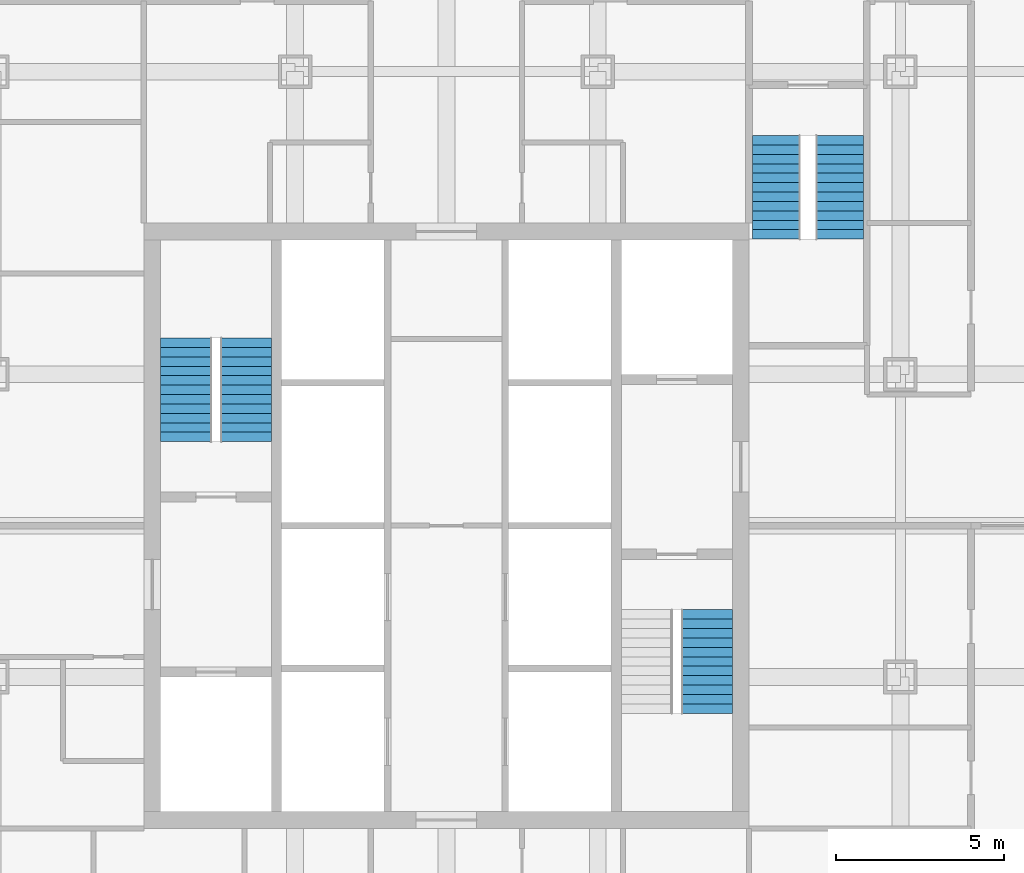
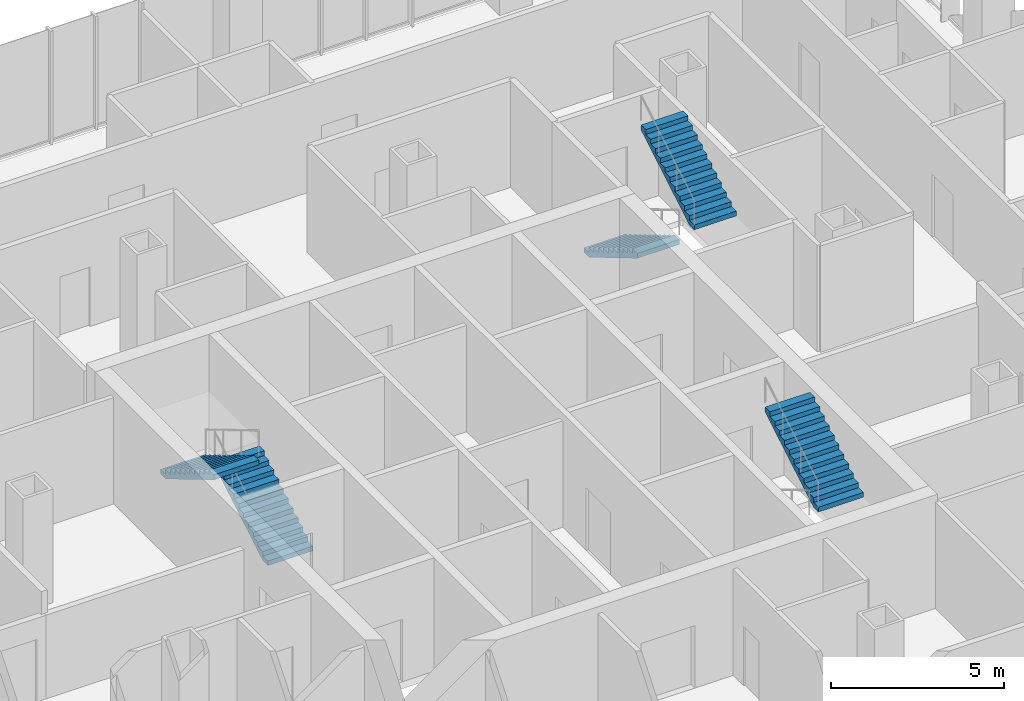
# One storey, part 13 of 16: 5 stair flights, 3 elements without a shape of their own.
"""IFC4 building model written with IfcOpenShell, lengths in metres."""

from ifc_helpers import new_model, si_unit, direction, frame, origin, place, context, subcontext, project, spatial, polyline, outline, extrude, material, type_object, element, aggregate, save


model = new_model("IFC4")

# Units and contexts
model_context = context("Model", 3, precision=1e-05, world=origin(), true_north=direction((0.0, 1.0)))
body_context = subcontext(model_context, "Body", "Model", "MODEL_VIEW")
ifc_project = project(units=[si_unit("LENGTHUNIT", "METRE"), si_unit("AREAUNIT", "SQUARE_METRE"), si_unit("VOLUMEUNIT", "CUBIC_METRE"), si_unit("PLANEANGLEUNIT", "RADIAN"), si_unit("MASSUNIT", "GRAM", prefix="KILO")], contexts=[model_context])

# Site, building, storey
site_placement = place(None, origin())
site = spatial("IfcSite", under=ifc_project, at=site_placement, CompositionType="ELEMENT")
building_placement = place(site_placement, origin())
building = spatial("IfcBuilding", under=site, at=building_placement, Name="Malebo Sky Hospital", CompositionType="ELEMENT")
storey_placement = place(building_placement, frame((0.0, 0.0, 144.0)))
storey = spatial("IfcBuildingStorey", under=building, at=storey_placement, Name="L34", CompositionType="ELEMENT", Elevation=144.0)

# Stair, stair flights
ifc_material = material(Name="Concrete C40/50", Category="concrete")
stair_type_1 = type_object("IfcStairType", Name="HALF-TURN STAIR 1400 R167", PredefinedType="HALF_TURN_STAIR", material=ifc_material)
stair_1_placement = place(storey_placement, origin())
stair_1 = element("IfcStair", 1, at=stair_1_placement, inside=storey, type_object=stair_type_1, Name="Stair S3 L34 type ST1B", PredefinedType="HALF_TURN_STAIR")
stair_flight_type_1 = type_object("IfcStairFlightType", Name="STAIR FLIGHT 1400 R167", PredefinedType="STRAIGHT", material=ifc_material)
stair_flight_1_placement = place(storey_placement, frame((69.800048828125, 73.60009765625, 0.0), z_axis=(0.0, 0.0, 1.0), x_axis=(0.0, -1.0, 0.0)))
stair_flight_1 = element("IfcStairFlight", 2, at=stair_flight_1_placement, type_object=stair_flight_type_1, Name="S3 flight 1 type SF1B", NumberOfRisers=12, NumberOfTreads=11, PredefinedType="STRAIGHT", RiserHeight=0.166666667, TreadLength=0.28, context=body_context, shape_type="SweptSolid", body=[
    extrude(outline(polyline([(0.0, 0.0), (0.0, 0.166748046875), (0.280029296875, 0.166748046875), (0.280029296875, 0.333251953125), (0.56005859375, 0.333251953125), (0.56005859375, 0.5), (0.840087890625, 0.5), (0.840087890625, 0.666748046875), (1.1201171875, 0.666748046875), (1.1201171875, 0.833251953125), (1.39990234375, 0.833251953125), (1.39990234375, 1.0), (1.679931640625, 1.0), (1.679931640625, 1.166748046875), (1.9599609375, 1.166748046875), (1.9599609375, 1.333251953125), (2.239990234375, 1.333251953125), (2.239990234375, 1.5), (2.52001953125, 1.5), (2.52001953125, 1.666748046875), (2.800048828125, 1.666748046875), (2.800048828125, 1.833251953125), (3.080078125, 1.833251953125), (3.080078125, 2.0), (3.080078125, 1.658935546875), (0.29296875, 0.0), (0.0, 0.0)])), frame((0.0, 0.699951171875, 0.0), z_axis=(0.0, -1.0, 0.0), x_axis=(1.0, 0.0, 0.0)), (0.0, 0.0, 1.0), 1.39990234375),
])
stair_flight_2_placement = place(storey_placement, frame((71.699951171875, 70.52001953125, 2.0), z_axis=(0.0, 0.0, 1.0), x_axis=(0.0, 1.0, 0.0)))
stair_flight_2 = element("IfcStairFlight", 3, at=stair_flight_2_placement, type_object=stair_flight_type_1, Name="S3 flight 2 type SF1B", NumberOfRisers=12, NumberOfTreads=11, PredefinedType="STRAIGHT", RiserHeight=0.166666667, TreadLength=0.28, context=body_context, shape_type="SweptSolid", body=[
    extrude(outline(polyline([(0.0, 0.0), (0.0, 0.166748046875), (0.280029296875, 0.166748046875), (0.280029296875, 0.333251953125), (0.56005859375, 0.333251953125), (0.56005859375, 0.5), (0.840087890625, 0.5), (0.840087890625, 0.666748046875), (1.1201171875, 0.666748046875), (1.1201171875, 0.833251953125), (1.39990234375, 0.833251953125), (1.39990234375, 1.0), (1.679931640625, 1.0), (1.679931640625, 1.166748046875), (1.9599609375, 1.166748046875), (1.9599609375, 1.333251953125), (2.239990234375, 1.333251953125), (2.239990234375, 1.5), (2.52001953125, 1.5), (2.52001953125, 1.666748046875), (2.800048828125, 1.666748046875), (2.800048828125, 1.833251953125), (3.080078125, 1.833251953125), (3.080078125, 2.0), (3.080078125, 1.658935546875), (0.29296875, 0.0), (0.0, 0.0)])), frame((0.0, 0.699951171875, 0.0), z_axis=(0.0, -1.0, 0.0), x_axis=(1.0, 0.0, 0.0)), (0.0, 0.0, 1.0), 1.39990234375),
])
aggregate(stair_1, [stair_flight_1, stair_flight_2])

stair_type_2 = type_object("IfcStairType", Name="HALF-TURN STAIR 1500 R167", PredefinedType="HALF_TURN_STAIR", material=ifc_material)
stair_2_placement = place(storey_placement, origin())
stair_2 = element("IfcStair", 4, at=stair_2_placement, inside=storey, type_object=stair_type_2, Name="Stair S1 L34 type ST1", PredefinedType="HALF_TURN_STAIR")
stair_flight_type_2 = type_object("IfcStairFlightType", Name="STAIR FLIGHT 1500 R167", PredefinedType="STRAIGHT", material=ifc_material)
stair_flight_3_placement = place(storey_placement, frame((54.050048828125, 64.5, 0.0), z_axis=(0.0, 0.0, 1.0), x_axis=(0.0, 1.0, 0.0)))
stair_flight_3 = element("IfcStairFlight", 5, at=stair_flight_3_placement, type_object=stair_flight_type_2, Name="S1 flight 1 type SF1", NumberOfRisers=12, NumberOfTreads=11, PredefinedType="STRAIGHT", RiserHeight=0.166666667, TreadLength=0.28, context=body_context, shape_type="SweptSolid", body=[
    extrude(outline(polyline([(0.0, 0.0), (0.0, 0.166748046875), (0.280029296875, 0.166748046875), (0.280029296875, 0.333251953125), (0.56005859375, 0.333251953125), (0.56005859375, 0.5), (0.840087890625, 0.5), (0.840087890625, 0.666748046875), (1.1201171875, 0.666748046875), (1.1201171875, 0.833251953125), (1.39990234375, 0.833251953125), (1.39990234375, 1.0), (1.679931640625, 1.0), (1.679931640625, 1.166748046875), (1.9599609375, 1.166748046875), (1.9599609375, 1.333251953125), (2.239990234375, 1.333251953125), (2.239990234375, 1.5), (2.52001953125, 1.5), (2.52001953125, 1.666748046875), (2.800048828125, 1.666748046875), (2.800048828125, 1.833251953125), (3.080078125, 1.833251953125), (3.080078125, 2.0), (3.080078125, 1.658935546875), (0.29296875, 0.0), (0.0, 0.0)])), frame((0.0, 0.75, 0.0), z_axis=(0.0, -1.0, 0.0), x_axis=(1.0, 0.0, 0.0)), (0.0, 0.0, 1.0), 1.5),
])
stair_flight_4_placement = place(storey_placement, frame((52.25, 67.580078125, 2.0), z_axis=(0.0, 0.0, 1.0), x_axis=(0.0, -1.0, 0.0)))
stair_flight_4 = element("IfcStairFlight", 6, at=stair_flight_4_placement, type_object=stair_flight_type_2, Name="S1 flight 2 type SF1", NumberOfRisers=12, NumberOfTreads=11, PredefinedType="STRAIGHT", RiserHeight=0.166666667, TreadLength=0.28, context=body_context, shape_type="SweptSolid", body=[
    extrude(outline(polyline([(0.0, 0.0), (0.0, 0.166748046875), (0.280029296875, 0.166748046875), (0.280029296875, 0.333251953125), (0.56005859375, 0.333251953125), (0.56005859375, 0.5), (0.840087890625, 0.5), (0.840087890625, 0.666748046875), (1.1201171875, 0.666748046875), (1.1201171875, 0.833251953125), (1.39990234375, 0.833251953125), (1.39990234375, 1.0), (1.679931640625, 1.0), (1.679931640625, 1.166748046875), (1.9599609375, 1.166748046875), (1.9599609375, 1.333251953125), (2.239990234375, 1.333251953125), (2.239990234375, 1.5), (2.52001953125, 1.5), (2.52001953125, 1.666748046875), (2.800048828125, 1.666748046875), (2.800048828125, 1.833251953125), (3.080078125, 1.833251953125), (3.080078125, 2.0), (3.080078125, 1.658935546875), (0.29296875, 0.0), (0.0, 0.0)])), frame((0.0, 0.75, 0.0), z_axis=(0.0, -1.0, 0.0), x_axis=(1.0, 0.0, 0.0)), (0.0, 0.0, 1.0), 1.5),
])
aggregate(stair_2, [stair_flight_3, stair_flight_4])

# Stair, stair flight
stair_3_placement = place(storey_placement, origin())
stair_3 = element("IfcStair", 7, at=stair_3_placement, inside=storey, type_object=stair_type_2, Name="Stair S2 L34 type ST1", PredefinedType="HALF_TURN_STAIR")
stair_flight_5_placement = place(storey_placement, frame((67.75, 56.419921875, 2.0), z_axis=(0.0, 0.0, 1.0), x_axis=(0.0, 1.0, 0.0)))
stair_flight_5 = element("IfcStairFlight", 8, at=stair_flight_5_placement, type_object=stair_flight_type_2, Name="S2 flight 2 type SF1", NumberOfRisers=12, NumberOfTreads=11, PredefinedType="STRAIGHT", RiserHeight=0.166666667, TreadLength=0.28, context=body_context, shape_type="SweptSolid", body=[
    extrude(outline(polyline([(0.0, 0.0), (0.0, 0.166748046875), (0.280029296875, 0.166748046875), (0.280029296875, 0.333251953125), (0.56005859375, 0.333251953125), (0.56005859375, 0.5), (0.840087890625, 0.5), (0.840087890625, 0.666748046875), (1.1201171875, 0.666748046875), (1.1201171875, 0.833251953125), (1.39990234375, 0.833251953125), (1.39990234375, 1.0), (1.679931640625, 1.0), (1.679931640625, 1.166748046875), (1.9599609375, 1.166748046875), (1.9599609375, 1.333251953125), (2.239990234375, 1.333251953125), (2.239990234375, 1.5), (2.52001953125, 1.5), (2.52001953125, 1.666748046875), (2.800048828125, 1.666748046875), (2.800048828125, 1.833251953125), (3.080078125, 1.833251953125), (3.080078125, 2.0), (3.080078125, 1.658935546875), (0.29296875, 0.0), (0.0, 0.0)])), frame((0.0, 0.75, 0.0), z_axis=(0.0, -1.0, 0.0), x_axis=(1.0, 0.0, 0.0)), (0.0, 0.0, 1.0), 1.5),
])
aggregate(stair_3, [stair_flight_5])

save(model, "model.ifc")
